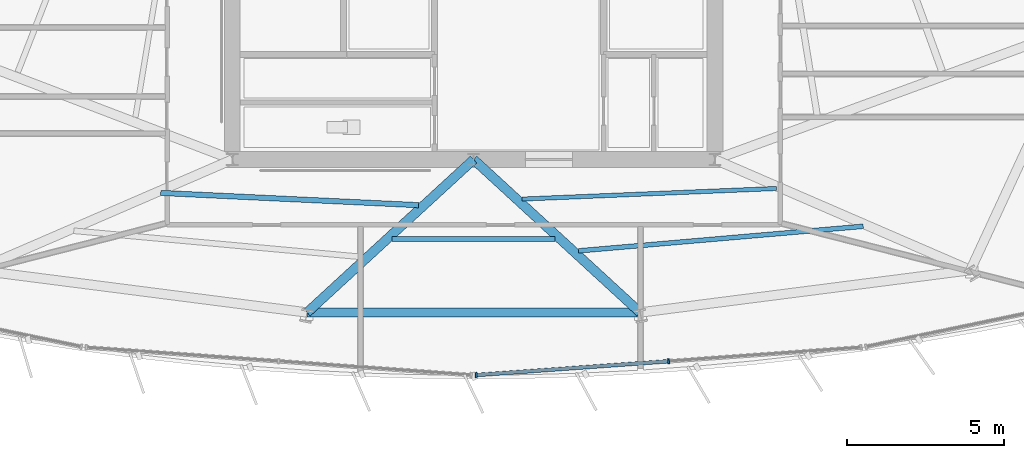
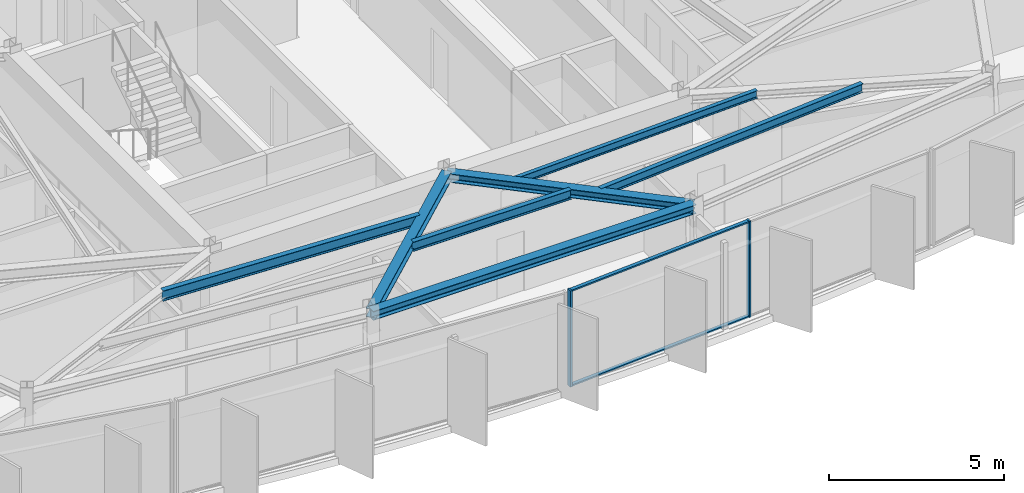
# One storey, part 3 of 13: 7 beams, 4 members, 1 element without a shape of its own.
"""IFC4 building model written with IfcOpenShell, lengths in metres."""

from ifc_helpers import new_model, si_unit, direction, frame, origin, origin_2d, place, context, subcontext, project, spatial, rectangle, i_section, extrude, material, material_profile, profile_set, type_object, element, aggregate, save


model = new_model("IFC4")

# Units and contexts
model_context = context("Model", 3, precision=1e-05, world=origin(), true_north=direction((0.0, 1.0)))
body_context = subcontext(model_context, "Body", "Model", "MODEL_VIEW")
ifc_project = project(units=[si_unit("LENGTHUNIT", "METRE"), si_unit("AREAUNIT", "SQUARE_METRE"), si_unit("VOLUMEUNIT", "CUBIC_METRE"), si_unit("PLANEANGLEUNIT", "RADIAN"), si_unit("MASSUNIT", "GRAM", prefix="KILO")], contexts=[model_context])

# Site, building, storey
site_placement = place(None, origin())
site = spatial("IfcSite", under=ifc_project, at=site_placement, CompositionType="ELEMENT")
building_placement = place(site_placement, origin())
building = spatial("IfcBuilding", under=site, at=building_placement, Name="Savorim Split Tower", CompositionType="ELEMENT")
storey_placement = place(building_placement, frame((0.0, 0.0, 250.800048828125)))
storey = spatial("IfcBuildingStorey", under=building, at=storey_placement, Name="L66", CompositionType="ELEMENT", Elevation=250.800048828125)

# Beams
ifc_material_1 = material(Name="Steel S355", Category="steel")
ifc_material_profile_1 = material_profile(ifc_material_1, i_section(OverallWidth=0.135009765625, OverallDepth=0.27001953125, WebThickness=0.006591796875, FlangeThickness=0.01025390625, FilletRadius=0.014892578125, at=origin_2d()), Name="IPE 270")
ifc_profile_set_1 = profile_set([ifc_material_profile_1], Name="Steel S355")
beam_type_1 = type_object("IfcBeamType", Name="BM-JST-IPE270", PredefinedType="JOIST", material=ifc_profile_set_1)
beam_1_placement = place(storey_placement, frame((1.54150390625, -10.66259765625, 3.21484375), z_axis=(0.99913250019, 0.041644292102, 0.0), x_axis=(-0.041644292102, 0.99913250019, 0.0)))
element("IfcBeam", 1, at=beam_1_placement, inside=storey, type_object=beam_type_1, Name="L66 Secondary Floor Joist JS-05", PredefinedType="JOIST", context=body_context, shape_type="SweptSolid", body=[
    extrude(i_section(OverallWidth=0.135009765625, OverallDepth=0.27001953125, WebThickness=0.006591796875, FlangeThickness=0.01025390625, FilletRadius=0.014892578125, at=origin_2d()), origin(), (0.0, 0.0, 1.0), 8.12548828125),
])
ifc_material_profile_2 = material_profile(ifc_material_1, i_section(OverallWidth=0.14990234375, OverallDepth=0.300048828125, WebThickness=0.007080078125, FlangeThickness=0.0107421875, FilletRadius=0.014892578125, at=origin_2d()), Name="IPE 300")
ifc_profile_set_2 = profile_set([ifc_material_profile_2], Name="Steel S355")
beam_type_2 = type_object("IfcBeamType", Name="BM-JST-IPE300", PredefinedType="JOIST", material=ifc_profile_set_2)
beam_2_placement = place(storey_placement, frame((3.347412109375, -12.315185546875, 3.199951171875), z_axis=(0.996293542935, 0.086018464918, 0.0), x_axis=(-0.086018464918, 0.996293542935, 0.0)))
element("IfcBeam", 2, at=beam_2_placement, inside=storey, type_object=beam_type_2, Name="L66 Secondary Floor Joist JS-04", PredefinedType="JOIST", context=body_context, shape_type="SweptSolid", body=[
    extrude(i_section(OverallWidth=0.14990234375, OverallDepth=0.300048828125, WebThickness=0.007080078125, FlangeThickness=0.0107421875, FilletRadius=0.014892578125, at=origin_2d()), origin(), (0.0, 0.0, 1.0), 9.119140625),
])
ifc_material_profile_3 = material_profile(ifc_material_1, i_section(OverallWidth=0.159912109375, OverallDepth=0.330078125, WebThickness=0.007568359375, FlangeThickness=0.011474609375, FilletRadius=0.01806640625, at=origin_2d()), Name="IPE 330")
ifc_profile_set_3 = profile_set([ifc_material_profile_3], Name="Steel S355")
beam_type_3 = type_object("IfcBeamType", Name="BM-JST-IPE330", PredefinedType="JOIST", material=ifc_profile_set_3)
beam_3_placement = place(storey_placement, frame((-2.60302734375, -11.9384765625, 3.18505859375), z_axis=(1.0, 0.0, 0.0), x_axis=(0.0, 1.0, 0.0)))
element("IfcBeam", 3, at=beam_3_placement, inside=storey, type_object=beam_type_3, Name="L66 Secondary Floor Joist JS-03", PredefinedType="JOIST", context=body_context, shape_type="SweptSolid", body=[
    extrude(i_section(OverallWidth=0.159912109375, OverallDepth=0.330078125, WebThickness=0.007568359375, FlangeThickness=0.011474609375, FilletRadius=0.01806640625, at=origin_2d()), origin(), (0.0, 0.0, 1.0), 5.2060546875),
])
ifc_material_profile_4 = material_profile(ifc_material_1, i_section(OverallWidth=0.169921875, OverallDepth=0.360107421875, WebThickness=0.008056640625, FlangeThickness=0.0126953125, FilletRadius=0.01806640625, at=origin_2d()), Name="IPE 360")
ifc_profile_set_4 = profile_set([ifc_material_profile_4], Name="Steel S355")
beam_type_4 = type_object("IfcBeamType", Name="BM-JST-IPE360", PredefinedType="JOIST", material=ifc_profile_set_4)
beam_4_placement = place(storey_placement, frame((-9.986328125, -10.466064453125, 3.169921875), z_axis=(0.998874762937, -0.047425815405, 0.0), x_axis=(0.047425815405, 0.998874762937, 0.0)))
element("IfcBeam", 4, at=beam_4_placement, inside=storey, type_object=beam_type_4, Name="L66 Secondary Floor Joist JS-02", PredefinedType="JOIST", context=body_context, shape_type="SweptSolid", body=[
    extrude(i_section(OverallWidth=0.169921875, OverallDepth=0.360107421875, WebThickness=0.008056640625, FlangeThickness=0.0126953125, FilletRadius=0.01806640625, at=origin_2d()), origin(), (0.0, 0.0, 1.0), 8.24169921875),
])
ifc_material_profile_5 = material_profile(ifc_material_1, i_section(OverallWidth=0.300048828125, OverallDepth=0.300048828125, WebThickness=0.010986328125, FlangeThickness=0.01904296875, FilletRadius=0.027099609375, at=origin_2d()), Name="HEB 300")
ifc_profile_set_5 = profile_set([ifc_material_profile_5], Name="Steel S355")
beam_type_5 = type_object("IfcBeamType", Name="BM-PRI-HEB300", PredefinedType="BEAM", material=ifc_profile_set_5)
for number, where, z_axis, x_axis, name in (
    (5, (-5.3134765625, -14.28173828125, 3.199951171875), (0.736384012518, 0.676563807862, 0.0), (-0.676563807862, 0.736384012518, 0.0), "L66 Primary Floor Girder RG-02"),
    (6, (5.3134765625, -14.28173828125, 3.199951171875), (-0.736384012518, 0.676563807862, 0.0), (-0.676563807862, -0.736384012518, 0.0), "L66 Primary Floor Girder RG-03"),
):
    element("IfcBeam", number, at=place(storey_placement, frame(where, z_axis=z_axis, x_axis=x_axis)), inside=storey, type_object=beam_type_5, Name=name, PredefinedType="BEAM", context=body_context, shape_type="SweptSolid", body=[
        extrude(i_section(OverallWidth=0.300048828125, OverallDepth=0.300048828125, WebThickness=0.010986328125, FlangeThickness=0.01904296875, FilletRadius=0.027099609375, at=origin_2d()), origin(), (0.0, 0.0, 1.0), 7.215576171875),
    ])
ifc_material_profile_6 = material_profile(ifc_material_1, i_section(OverallWidth=0.300048828125, OverallDepth=0.31005859375, WebThickness=0.009033203125, FlangeThickness=0.015380859375, FilletRadius=0.027099609375, at=origin_2d()), Name="HEA 320")
ifc_profile_set_6 = profile_set([ifc_material_profile_6], Name="Steel S355")
beam_type_6 = type_object("IfcBeamType", Name="BM-SPN-HEA320", PredefinedType="SPANDREL", material=ifc_profile_set_6)
beam_5_placement = place(storey_placement, frame((-5.3134765625, -14.28173828125, 3.195068359375), z_axis=(1.0, 0.0, 0.0), x_axis=(0.0, 1.0, 0.0)))
element("IfcBeam", 7, at=beam_5_placement, inside=storey, type_object=beam_type_6, Name="L66 Perimeter Spandrel Beam 2", PredefinedType="SPANDREL", context=body_context, shape_type="SweptSolid", body=[
    extrude(i_section(OverallWidth=0.300048828125, OverallDepth=0.31005859375, WebThickness=0.009033203125, FlangeThickness=0.015380859375, FilletRadius=0.027099609375, at=origin_2d()), origin(), (0.0, 0.0, 1.0), 10.626953125),
])

# Curtain wall, members
ifc_material_2 = material(Name="Dark Ceramic-Fritted Insulated Glass", Category="glass")
curtain_wall_type = type_object("IfcCurtainWallType", Name="CW-TWR-FRIT-B", PredefinedType="NOTDEFINED", material=ifc_material_2)
curtain_wall_placement = place(storey_placement, origin())
curtain_wall = element("IfcCurtainWall", 8, at=curtain_wall_placement, inside=storey, type_object=curtain_wall_type, Name="L66 Curtain Wall CW-L66-SF3", PredefinedType="NOTDEFINED")
ifc_material_3 = material(Name="Charcoal Anodised Aluminium", Category="aluminium")
ifc_material_profile_7 = material_profile(ifc_material_3, rectangle(XDim=0.159912109375, YDim=0.06005859375, at=origin_2d()), Name="ALU-M 160x60")
ifc_profile_set_7 = profile_set([ifc_material_profile_7], Name="Charcoal Anodised Aluminium")
member_type_1 = type_object("IfcMemberType", Name="CWM-160x60", PredefinedType="MULLION", material=ifc_profile_set_7)
member_1_placement = place(storey_placement, frame((0.081298828125, -16.277099609375, 0.0), z_axis=(0.0, 0.0, 1.0), x_axis=(-0.071562386711, 0.997436125678, 0.0)))
member_1 = element("IfcMember", 9, at=member_1_placement, type_object=member_type_1, Name="CW-03 mullion 1", PredefinedType="MULLION", context=body_context, shape_type="SweptSolid", body=[
    extrude(rectangle(XDim=0.159912109375, YDim=0.06005859375, at=origin_2d()), origin(), (0.0, 0.0, 1.0), 3.349853515625),
])
member_2_placement = place(storey_placement, frame((6.2216796875, -15.83642578125, 0.0), z_axis=(0.0, 0.0, 1.0), x_axis=(-0.071562386711, 0.997436125678, 0.0)))
member_2 = element("IfcMember", 10, at=member_2_placement, type_object=member_type_1, Name="CW-03 mullion 2", PredefinedType="MULLION", context=body_context, shape_type="SweptSolid", body=[
    extrude(rectangle(XDim=0.159912109375, YDim=0.06005859375, at=origin_2d()), origin(), (0.0, 0.0, 1.0), 3.349853515625),
])
ifc_material_profile_8 = material_profile(ifc_material_3, rectangle(XDim=0.1201171875, YDim=0.050048828125, at=origin_2d()), Name="ALU-T 120x50")
ifc_profile_set_8 = profile_set([ifc_material_profile_8], Name="Charcoal Anodised Aluminium")
member_type_2 = type_object("IfcMemberType", Name="CWT-120x50", PredefinedType="USERDEFINED", material=ifc_profile_set_8)
member_3_placement = place(storey_placement, frame((0.111083984375, -16.27490234375, 0.02490234375), z_axis=(0.997435880483, 0.071565804161, 0.0), x_axis=(-0.071565804161, 0.997435880483, 0.0)))
member_3 = element("IfcMember", 11, at=member_3_placement, type_object=member_type_2, Name="CW-03 transom 1.1", ObjectType="TRANSOM", PredefinedType="USERDEFINED", context=body_context, shape_type="SweptSolid", body=[
    extrude(rectangle(XDim=0.1201171875, YDim=0.050048828125, at=origin_2d()), origin(), (0.0, 0.0, 1.0), 6.09619140625),
])
member_4_placement = place(storey_placement, frame((0.111083984375, -16.27490234375, 3.324951171875), z_axis=(0.997435880483, 0.071565804161, 0.0), x_axis=(-0.071565804161, 0.997435880483, 0.0)))
member_4 = element("IfcMember", 12, at=member_4_placement, type_object=member_type_2, Name="CW-03 transom 1.2", ObjectType="TRANSOM", PredefinedType="USERDEFINED", context=body_context, shape_type="SweptSolid", body=[
    extrude(rectangle(XDim=0.1201171875, YDim=0.050048828125, at=origin_2d()), origin(), (0.0, 0.0, 1.0), 6.09619140625),
])
aggregate(curtain_wall, [member_1, member_2, member_3, member_4])

save(model, "model.ifc")
